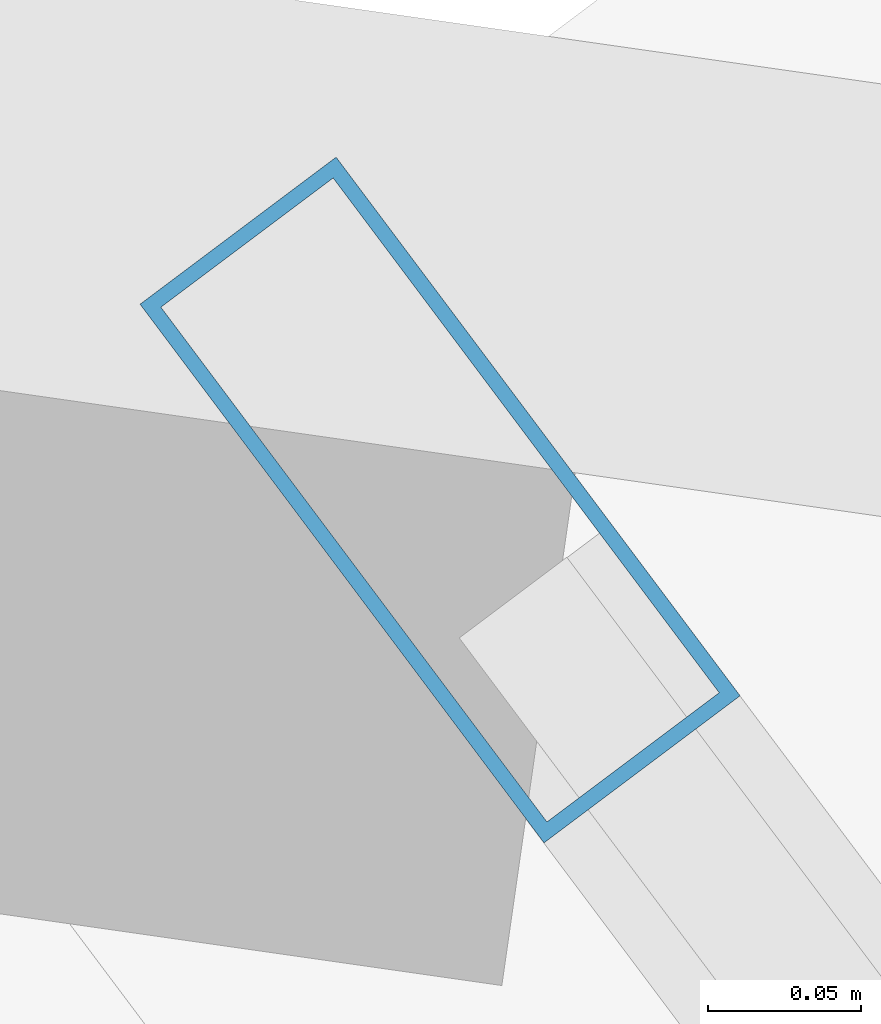
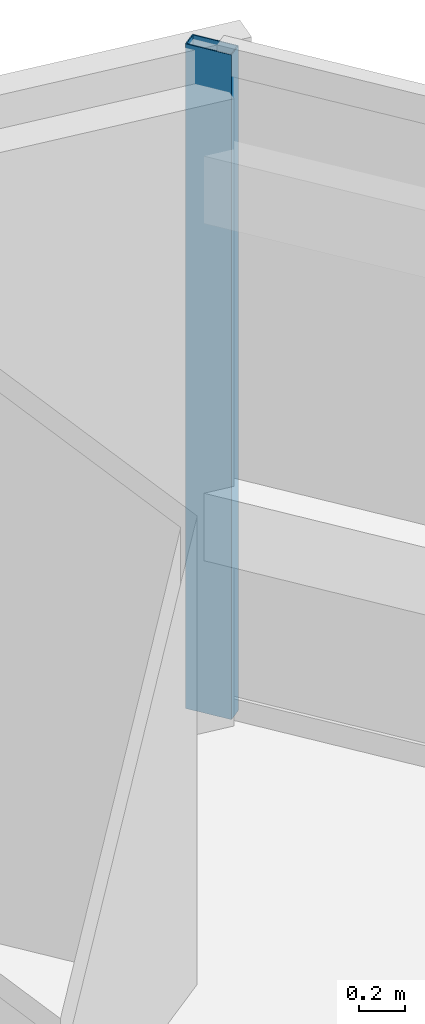
# One storey, part 32 of 44: 1 member, 1 element without a shape of its own.
"""IFC4 building model written with IfcOpenShell, lengths in metres."""

from ifc_helpers import new_model, si_unit, direction, frame, origin, origin_2d, place, context, subcontext, project, spatial, hollow_rectangle, extrude, material, material_profile, profile_set, type_object, element, aggregate, save


model = new_model("IFC4")

# Units and contexts
model_context = context("Model", 3, precision=1e-05, world=origin(), true_north=direction((0.0, 1.0)))
body_context = subcontext(model_context, "Body", "Model", "MODEL_VIEW")
ifc_project = project(units=[si_unit("LENGTHUNIT", "METRE"), si_unit("AREAUNIT", "SQUARE_METRE"), si_unit("VOLUMEUNIT", "CUBIC_METRE"), si_unit("PLANEANGLEUNIT", "RADIAN"), si_unit("MASSUNIT", "GRAM", prefix="KILO")], contexts=[model_context])

# Site, building, storey
site_placement = place(None, origin())
site = spatial("IfcSite", under=ifc_project, at=site_placement, CompositionType="ELEMENT")
building_placement = place(site_placement, origin())
building = spatial("IfcBuilding", under=site, at=building_placement, Name="Tashvorn Skyway Center", CompositionType="ELEMENT")
storey_placement = place(building_placement, frame((0.0, 0.0, 102.699951171875)))
storey = spatial("IfcBuildingStorey", under=building, at=storey_placement, Name="L27", CompositionType="ELEMENT", Elevation=102.699951171875)

# Curtain wall, member
ifc_material = material(Name="Thermally broken bronze-anodized aluminium 6063-T6", Category="aluminium")
curtain_wall_type = type_object("IfcCurtainWallType", Name="CW-CW-Z2", PredefinedType="NOTDEFINED", material=ifc_material)
curtain_wall_placement = place(storey_placement, origin())
curtain_wall = element("IfcCurtainWall", 1, at=curtain_wall_placement, inside=storey, type_object=curtain_wall_type, Name="Tower 2 L27 East Unitised Curtain Wall Glazing Group 1", PredefinedType="NOTDEFINED")
ifc_material_profile = material_profile(ifc_material, hollow_rectangle(XDim=0.080078125, YDim=0.219970703125, WallThickness=0.0048828125, at=origin_2d()), Name="ALU-MULL-80x220")
ifc_profile_set = profile_set([ifc_material_profile], Name="Thermally broken bronze-anodized aluminium 6063-T6")
member_type = type_object("IfcMemberType", Name="CWM-CW-Z2", PredefinedType="MULLION", material=ifc_profile_set)
member_placement = place(storey_placement, frame((119.56005859375, 57.719970703125, 0.0), z_axis=(0.0, 0.0, 1.0), x_axis=(0.799999999998, 0.600000000002, 0.0)))
member = element("IfcMember", 2, at=member_placement, type_object=member_type, Name="CW-Z2 mullion 1", PredefinedType="MULLION", context=body_context, shape_type="SweptSolid", body=[
    extrude(hollow_rectangle(XDim=0.080078125, YDim=0.219970703125, WallThickness=0.0048828125, at=origin_2d()), origin(), (0.0, 0.0, 1.0), 3.550048828125),
])
aggregate(curtain_wall, [member])

save(model, "model.ifc")
